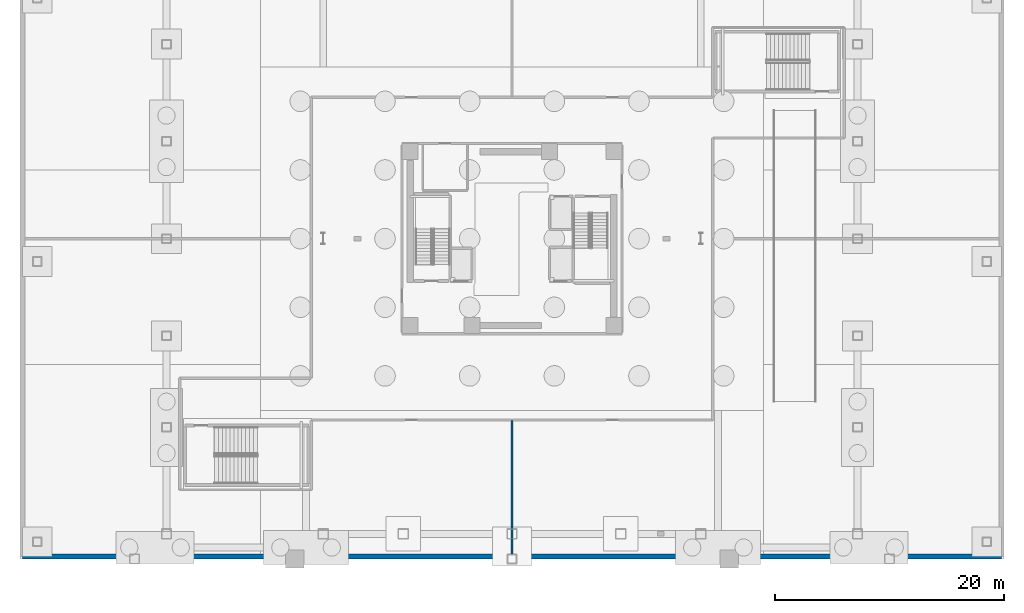
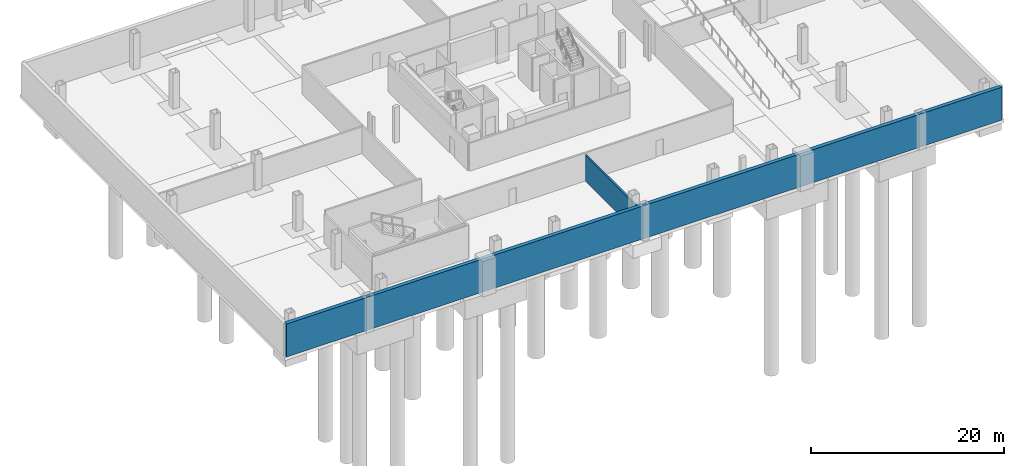
# One storey, part 7 of 15: 2 walls.
"""IFC4 building model written with IfcOpenShell, lengths in metres."""

from ifc_helpers import new_model, si_unit, direction, frame, frame_2d, origin, place, context, subcontext, project, spatial, rectangle, extrude, material, layer, layer_set, type_object, element, save


model = new_model("IFC4")

# Units and contexts
model_context = context("Model", 3, precision=1e-05, world=origin(), true_north=direction((0.0, 1.0)))
body_context = subcontext(model_context, "Body", "Model", "MODEL_VIEW")
ifc_project = project(units=[si_unit("LENGTHUNIT", "METRE"), si_unit("AREAUNIT", "SQUARE_METRE"), si_unit("VOLUMEUNIT", "CUBIC_METRE"), si_unit("PLANEANGLEUNIT", "RADIAN"), si_unit("MASSUNIT", "GRAM", prefix="KILO")], contexts=[model_context])

# Site, building, storey
site_placement = place(None, origin())
site = spatial("IfcSite", under=ifc_project, at=site_placement, CompositionType="ELEMENT")
building_placement = place(site_placement, origin())
building = spatial("IfcBuilding", under=site, at=building_placement, Name="Tharavind Bronze Gate", CompositionType="ELEMENT")
storey_placement = place(building_placement, frame((0.0, 0.0, -9.0)))
storey = spatial("IfcBuildingStorey", under=building, at=storey_placement, Name="B02", CompositionType="ELEMENT", Elevation=-9.0)

# Walls
ifc_material_1 = material(Name="Concrete C50/60", Category="concrete")
ifc_layer_1 = layer(ifc_material_1, 0.449951171875)
ifc_layer_set_1 = layer_set([ifc_layer_1], Name="Concrete C50/60")
wall_type_1 = type_object("IfcWallType", Name="BASEMENT RETAINING WALL 450", PredefinedType="STANDARD", material=ifc_layer_set_1)
wall_1_placement = place(storey_placement, frame((-42.77490234375, -27.77490234375, 0.0), z_axis=(0.0, 0.0, 1.0), x_axis=(1.0, 0.0, 0.0)))
element("IfcWall", 1, at=wall_1_placement, inside=storey, type_object=wall_type_1, Name="B02 perimeter retaining wall 1", PredefinedType="STANDARD", context=body_context, shape_type="SweptSolid", body=[
    extrude(rectangle(XDim=85.5498046875, YDim=0.449951171875, at=frame_2d((42.77490234375, 0.0))), origin(), (0.0, 0.0, 1.0), 4.175048828125),
])
ifc_material_2 = material(Name="Aerated Concrete Block", Category="concrete")
ifc_layer_2 = layer(ifc_material_2, 0.199951171875)
ifc_layer_set_2 = layer_set([ifc_layer_2], Name="Aerated Concrete Block")
wall_type_2 = type_object("IfcWallType", Name="FIRE RATED PARTITION 200", PredefinedType="PARTITIONING", material=ifc_layer_set_2)
wall_2_placement = place(storey_placement, frame((0.0, -15.875, 0.0), z_axis=(0.0, 0.0, 1.0), x_axis=(0.0, -1.0, 0.0)))
element("IfcWall", 2, at=wall_2_placement, inside=storey, type_object=wall_type_2, Name="B02 Domestic & Fire Water Tank Hall partition", PredefinedType="PARTITIONING", context=body_context, shape_type="SweptSolid", body=[
    extrude(rectangle(XDim=11.669921875, YDim=0.199951171875, at=frame_2d((5.8349609375, 0.0))), origin(), (0.0, 0.0, 1.0), 3.27001953125),
])

save(model, "model.ifc")
